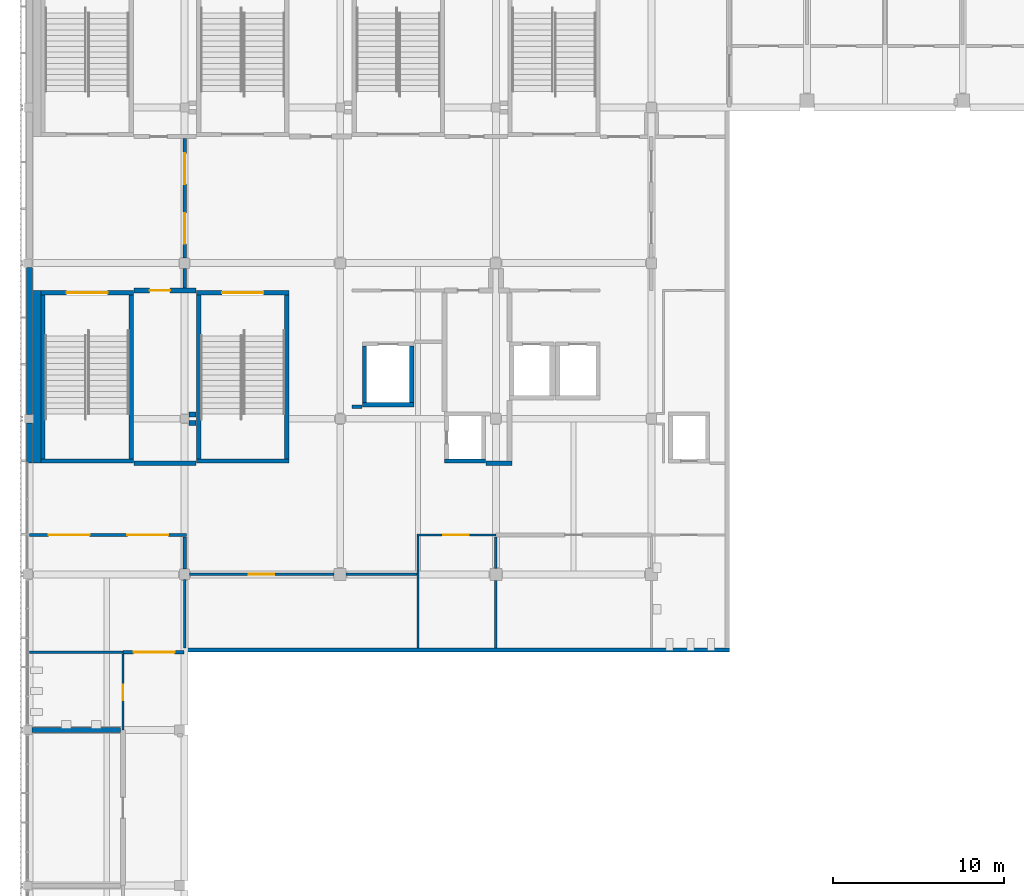
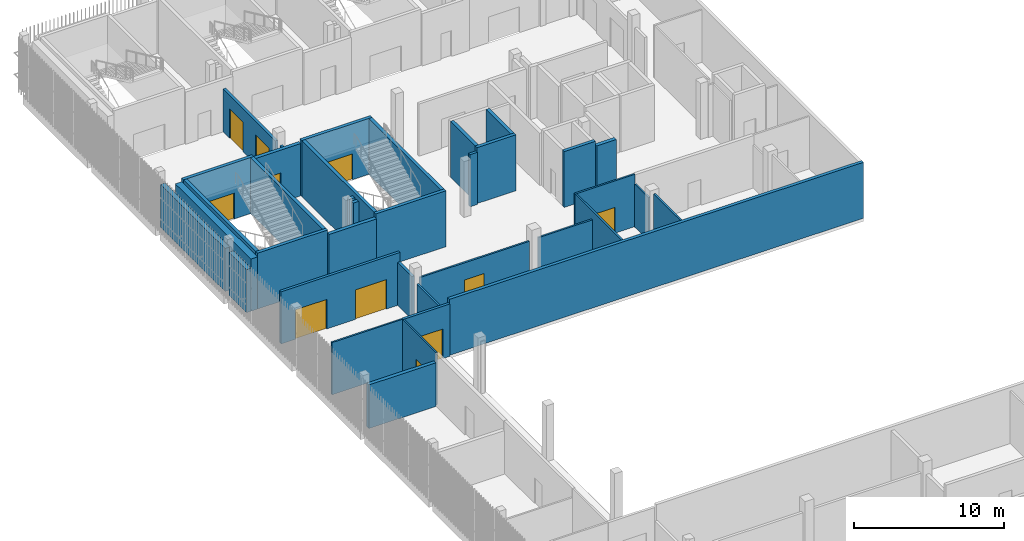
# One storey, part 73 of 124: 37 walls, 11 doors, 11 openings.
"""IFC4 building model written with IfcOpenShell, lengths in metres."""

from ifc_helpers import new_model, si_unit, direction, frame, frame_2d, origin, place, context, subcontext, project, spatial, rectangle, extrude, material, layer, layer_set, type_object, element, fill, save


model = new_model("IFC4")

# Units and contexts
model_context = context("Model", 3, precision=1e-05, world=origin(), true_north=direction((0.0, 1.0)))
body_context = subcontext(model_context, "Body", "Model", "MODEL_VIEW")
ifc_project = project(units=[si_unit("LENGTHUNIT", "METRE"), si_unit("AREAUNIT", "SQUARE_METRE"), si_unit("VOLUMEUNIT", "CUBIC_METRE"), si_unit("PLANEANGLEUNIT", "RADIAN"), si_unit("MASSUNIT", "GRAM", prefix="KILO")], contexts=[model_context])

# Site, building, storey
site_placement = place(None, origin())
site = spatial("IfcSite", under=ifc_project, at=site_placement, CompositionType="ELEMENT")
building_placement = place(site_placement, origin())
building = spatial("IfcBuilding", under=site, at=building_placement, Name="Shirokan Park Arena", CompositionType="ELEMENT")
storey_placement = place(building_placement, frame((0.0, 0.0, 20.02001953125)))
storey = spatial("IfcBuildingStorey", under=building, at=storey_placement, Name="L04", CompositionType="ELEMENT", Elevation=20.02001953125)

# Wall, opening, door
ifc_material_1 = material(Name="Gypsum board")
ifc_layer_1 = layer(ifc_material_1, 0.02490234375, Name="Gypsum board, two layers")
ifc_material_2 = material(Name="Mineral wool insulation")
ifc_layer_2 = layer(ifc_material_2, 0.14990234375, Name="Mineral wool insulation")
ifc_layer_3 = layer(ifc_material_1, 0.02490234375, Name="Gypsum board, two layers")
ifc_layer_set_1 = layer_set([ifc_layer_1, ifc_layer_2, ifc_layer_3], Name="Gypsum board, two layers + Mineral wool insulation")
wall_type_1 = type_object("IfcWallType", Name="Corridor wall 200", PredefinedType="PARTITIONING", material=ifc_layer_set_1)
wall_1_placement = place(storey_placement, frame((9.070068359375, 68.25, 0.0), z_axis=(0.0, 0.0, 1.0), x_axis=(-1.0, 0.0, 0.0)))
wall_1 = element("IfcWall", 1, at=wall_1_placement, inside=storey, type_object=wall_type_1, Name="Corridor wall 200 L04", PredefinedType="PARTITIONING", context=body_context, shape_type="SweptSolid", body=[
    extrude(rectangle(XDim=3.570068359375, YDim=0.199951171875, at=frame_2d((1.78515625, 0.0))), origin(), (0.0, 0.0, 1.0), 4.25),
])
opening_1_placement = place(wall_1_placement, frame((0.550048828125, 0.0, 0.0)))
opening_1 = element("IfcOpeningElement", 2, at=opening_1_placement, cuts=wall_1, Name="Opening D-4117", PredefinedType="OPENING", context=body_context, shape_type="SweptSolid", body=[
    extrude(rectangle(XDim=2.39990234375, YDim=2.39990234375, at=frame_2d((1.199951171875, 1.199951171875))), frame((0.0, 0.10986328125, 0.0), z_axis=(0.0, -1.0, 0.0), x_axis=(1.0, 0.0, 0.0)), (0.0, 0.0, 1.0), 0.219970703125),
])
ifc_material_3 = material(Name="Steel door set, fire resisting", Category="steel")
door_type_1 = type_object("IfcDoorType", Name="Double door 2400 x 2400", OperationType="DOUBLE_DOOR_SINGLE_SWING", PredefinedType="DOOR", material=ifc_material_3)
door_1_placement = place(opening_1_placement, origin())
door_1 = element("IfcDoor", 3, at=door_1_placement, inside=storey, type_object=door_type_1, Name="Door between Concourse Link 4.4 and Operations Corridor 4.04 D-4117", OperationType="DOUBLE_DOOR_SINGLE_SWING", OverallHeight=2.39990234375, OverallWidth=2.39990234375, PredefinedType="DOOR", context=body_context, shape_type="SweptSolid", body=[
    extrude(rectangle(XDim=2.39990234375, YDim=2.39990234375, at=frame_2d((1.199951171875, 1.199951171875))), frame((0.0, 0.02490234375, 0.0), z_axis=(0.0, -1.0, 0.0), x_axis=(1.0, 0.0, 0.0)), (0.0, 0.0, 1.0), 0.050048828125),
])
fill(opening_1, door_1)

# Walls
wall_2_placement = place(storey_placement, frame((9.10009765625, 73.10009765625, 0.0), z_axis=(0.0, 0.0, 1.0), x_axis=(0.0, 1.0, 0.0)))
element("IfcWall", 4, at=wall_2_placement, inside=storey, type_object=wall_type_1, Name="Corridor wall 200 L04", PredefinedType="PARTITIONING", context=body_context, shape_type="SweptSolid", body=[
    extrude(rectangle(XDim=1.89990234375, YDim=0.199951171875, at=frame_2d((0.949951171875, 0.0))), origin(), (0.0, 0.0, 1.0), 3.5),
])
wall_3_placement = place(storey_placement, frame((9.10009765625, 90.699951171875, 0.0), z_axis=(0.0, 0.0, 1.0), x_axis=(0.0, -1.0, 0.0)))
element("IfcWall", 5, at=wall_3_placement, inside=storey, type_object=wall_type_1, Name="Corridor wall 200 L04", PredefinedType="PARTITIONING", context=body_context, shape_type="SweptSolid", body=[
    extrude(rectangle(XDim=1.162353515625, YDim=0.199951171875, at=frame_2d((0.5810546875, 0.0))), origin(), (0.0, 0.0, 1.0), 3.5),
])

# Wall, openings, doors
wall_4_placement = place(storey_placement, frame((9.10009765625, 98.27490234375, 0.0), z_axis=(0.0, 0.0, 1.0), x_axis=(0.0, -1.0, 0.0)))
wall_4 = element("IfcWall", 6, at=wall_4_placement, inside=storey, type_object=wall_type_1, Name="Corridor wall 200 L04", PredefinedType="PARTITIONING", context=body_context, shape_type="SweptSolid", body=[
    extrude(rectangle(XDim=6.974853515625, YDim=0.199951171875, at=frame_2d((3.4873046875, 0.0))), origin(), (0.0, 0.0, 1.0), 3.5),
])
opening_2_placement = place(wall_4_placement, frame((0.85009765625, 0.0, 0.0)))
opening_2 = element("IfcOpeningElement", 7, at=opening_2_placement, cuts=wall_4, Name="Opening D-4109", PredefinedType="OPENING", context=body_context, shape_type="SweptSolid", body=[
    extrude(rectangle(XDim=1.800048828125, YDim=2.39990234375, at=frame_2d((0.89990234375, 1.199951171875))), frame((0.0, 0.10986328125, 0.0), z_axis=(0.0, -1.0, 0.0), x_axis=(1.0, 0.0, 0.0)), (0.0, 0.0, 1.0), 0.219970703125),
])
opening_3_placement = place(wall_4_placement, frame((4.35009765625, 0.0, 0.0)))
opening_3 = element("IfcOpeningElement", 8, at=opening_3_placement, cuts=wall_4, Name="Opening D-4110", PredefinedType="OPENING", context=body_context, shape_type="SweptSolid", body=[
    extrude(rectangle(XDim=1.800048828125, YDim=2.39990234375, at=frame_2d((0.89990234375, 1.199951171875))), frame((0.0, 0.10986328125, 0.0), z_axis=(0.0, -1.0, 0.0), x_axis=(1.0, 0.0, 0.0)), (0.0, 0.0, 1.0), 0.219970703125),
])
ifc_material_4 = material(Name="Glazed steel door set, fire resisting", Category="steel")
door_type_2 = type_object("IfcDoorType", Name="Lift lobby door 1800 x 2400", OperationType="DOUBLE_DOOR_SINGLE_SWING", PredefinedType="DOOR", material=ifc_material_4)
door_2_placement = place(opening_2_placement, origin())
door_2 = element("IfcDoor", 9, at=door_2_placement, inside=storey, type_object=door_type_2, Name="Door between Stair Lobby 4.4.1 and Broadcast Gallery 4.4.2 D-4109", OperationType="DOUBLE_DOOR_SINGLE_SWING", OverallHeight=2.39990234375, OverallWidth=1.800048828125, PredefinedType="DOOR", context=body_context, shape_type="SweptSolid", body=[
    extrude(rectangle(XDim=1.800048828125, YDim=2.39990234375, at=frame_2d((0.89990234375, 1.199951171875))), frame((0.0, 0.02490234375, 0.0), z_axis=(0.0, -1.0, 0.0), x_axis=(1.0, 0.0, 0.0)), (0.0, 0.0, 1.0), 0.050048828125),
])
fill(opening_2, door_2)
door_3_placement = place(opening_3_placement, origin())
door_3 = element("IfcDoor", 10, at=door_3_placement, inside=storey, type_object=door_type_2, Name="Door between Stair Lobby 4.4.1 and Broadcast Gallery 4.4.2 D-4110", OperationType="DOUBLE_DOOR_SINGLE_SWING", OverallHeight=2.39990234375, OverallWidth=1.800048828125, PredefinedType="DOOR", context=body_context, shape_type="SweptSolid", body=[
    extrude(rectangle(XDim=1.800048828125, YDim=2.39990234375, at=frame_2d((0.89990234375, 1.199951171875))), frame((0.0, 0.02490234375, 0.0), z_axis=(0.0, -1.0, 0.0), x_axis=(1.0, 0.0, 0.0)), (0.0, 0.0, 1.0), 0.050048828125),
])
fill(opening_3, door_3)

wall_5_placement = place(storey_placement, frame((9.199951171875, 75.10009765625, 0.0), z_axis=(0.0, 0.0, 1.0), x_axis=(-1.0, 0.0, 0.0)))
wall_5 = element("IfcWall", 11, at=wall_5_placement, inside=storey, type_object=wall_type_1, Name="Corridor wall 200 L04", PredefinedType="PARTITIONING", context=body_context, shape_type="SweptSolid", body=[
    extrude(rectangle(XDim=9.169921875, YDim=0.199951171875, at=frame_2d((4.5849609375, 0.0))), origin(), (0.0, 0.0, 1.0), 4.25),
])
opening_4_placement = place(wall_5_placement, frame((1.050048828125, 0.0, 0.0)))
opening_4 = element("IfcOpeningElement", 12, at=opening_4_placement, cuts=wall_5, Name="Opening D-4107", PredefinedType="OPENING", context=body_context, shape_type="SweptSolid", body=[
    extrude(rectangle(XDim=2.39990234375, YDim=2.39990234375, at=frame_2d((1.199951171875, 1.199951171875))), frame((0.0, 0.10986328125, 0.0), z_axis=(0.0, -1.0, 0.0), x_axis=(1.0, 0.0, 0.0)), (0.0, 0.0, 1.0), 0.219970703125),
])
opening_5_placement = place(wall_5_placement, frame((5.64990234375, 0.0, 0.0)))
opening_5 = element("IfcOpeningElement", 13, at=opening_5_placement, cuts=wall_5, Name="Opening D-4108", PredefinedType="OPENING", context=body_context, shape_type="SweptSolid", body=[
    extrude(rectangle(XDim=2.39990234375, YDim=2.39990234375, at=frame_2d((1.199951171875, 1.199951171875))), frame((0.0, 0.10986328125, 0.0), z_axis=(0.0, -1.0, 0.0), x_axis=(1.0, 0.0, 0.0)), (0.0, 0.0, 1.0), 0.219970703125),
])
door_4_placement = place(opening_4_placement, origin())
door_4 = element("IfcDoor", 14, at=door_4_placement, inside=storey, type_object=door_type_1, Name="Door between Service Corridor 4.4 and Concourse Link 4.4 D-4107", OperationType="DOUBLE_DOOR_SINGLE_SWING", OverallHeight=2.39990234375, OverallWidth=2.39990234375, PredefinedType="DOOR", context=body_context, shape_type="SweptSolid", body=[
    extrude(rectangle(XDim=2.39990234375, YDim=2.39990234375, at=frame_2d((1.199951171875, 1.199951171875))), frame((0.0, 0.02490234375, 0.0), z_axis=(0.0, -1.0, 0.0), x_axis=(1.0, 0.0, 0.0)), (0.0, 0.0, 1.0), 0.050048828125),
])
fill(opening_4, door_4)
door_5_placement = place(opening_5_placement, origin())
door_5 = element("IfcDoor", 15, at=door_5_placement, inside=storey, type_object=door_type_1, Name="Door between Service Corridor 4.4 and Concourse Link 4.4 D-4108", OperationType="DOUBLE_DOOR_SINGLE_SWING", OverallHeight=2.39990234375, OverallWidth=2.39990234375, PredefinedType="DOOR", context=body_context, shape_type="SweptSolid", body=[
    extrude(rectangle(XDim=2.39990234375, YDim=2.39990234375, at=frame_2d((1.199951171875, 1.199951171875))), frame((0.0, 0.02490234375, 0.0), z_axis=(0.0, -1.0, 0.0), x_axis=(1.0, 0.0, 0.0)), (0.0, 0.0, 1.0), 0.050048828125),
])
fill(opening_5, door_5)

# Walls
wall_6_placement = place(storey_placement, frame((19.469970703125, 82.60009765625, 0.0), z_axis=(0.0, 0.0, 1.0), x_axis=(-1.0, 0.0, 0.0)))
element("IfcWall", 16, at=wall_6_placement, inside=storey, type_object=wall_type_1, Name="Corridor wall 200 L04", PredefinedType="PARTITIONING", context=body_context, shape_type="SweptSolid", body=[
    extrude(rectangle(XDim=0.570068359375, YDim=0.199951171875, at=frame_2d((0.28515625, 0.0))), origin(), (0.0, 0.0, 1.0), 4.25),
])
ifc_material_5 = material(Name="Cedar cladding")
ifc_layer_4 = layer(ifc_material_5, 0.030029296875, Name="Cedar cladding")
ifc_layer_5 = layer(ifc_material_2, 0.10009765625, Name="Mineral wool insulation")
ifc_material_6 = material(Name="Concrete C35", Category="concrete")
ifc_layer_6 = layer(ifc_material_6, 0.199951171875, Name="Concrete C35")
ifc_material_7 = material(Name="Gypsum board lining")
ifc_layer_7 = layer(ifc_material_7, 0.02001953125, Name="Gypsum board lining")
ifc_layer_set_2 = layer_set([ifc_layer_4, ifc_layer_5, ifc_layer_6, ifc_layer_7], Name="Cedar cladding + Mineral wool insulation + Concrete C35 + Gypsum board lining")
wall_type_2 = type_object("IfcWallType", Name="Insulated tower wall 350", PredefinedType="SOLIDWALL", material=ifc_layer_set_2)
wall_7_placement = place(storey_placement, frame((0.02490234375, 90.75, 0.0), z_axis=(0.0, 0.0, 1.0), x_axis=(0.0, -1.0, 0.0)))
element("IfcWall", 17, at=wall_7_placement, inside=storey, type_object=wall_type_2, Name="West facade wall bay 3 L04", PredefinedType="SOLIDWALL", context=body_context, shape_type="SweptSolid", body=[
    extrude(rectangle(XDim=8.60009765625, YDim=0.35009765625, at=frame_2d((4.300048828125, 0.0))), origin(), (0.0, 0.0, 1.0), 3.5),
])
wall_8_placement = place(storey_placement, frame((0.02490234375, 81.64990234375, 0.0), z_axis=(0.0, 0.0, 1.0), x_axis=(0.0, -1.0, 0.0)))
element("IfcWall", 18, at=wall_8_placement, inside=storey, type_object=wall_type_2, Name="West facade wall bay 4 L04", PredefinedType="SOLIDWALL", context=body_context, shape_type="SweptSolid", body=[
    extrude(rectangle(XDim=2.349853515625, YDim=0.35009765625, at=frame_2d((1.1748046875, 0.0))), origin(), (0.0, 0.0, 1.0), 3.5),
])
ifc_material_8 = material(Name="Ceramic tile")
ifc_layer_8 = layer(ifc_material_8, 0.010009765625, Name="Ceramic tile")
ifc_material_9 = material(Name="Render")
ifc_layer_9 = layer(ifc_material_9, 0.010009765625, Name="Render")
ifc_material_10 = material(Name="Concrete blockwork", Category="masonry")
ifc_layer_10 = layer(ifc_material_10, 0.10009765625, Name="Concrete blockwork 100")
ifc_layer_11 = layer(ifc_material_9, 0.010009765625, Name="Render")
ifc_layer_12 = layer(ifc_material_8, 0.010009765625, Name="Ceramic tile")
ifc_layer_set_3 = layer_set([ifc_layer_8, ifc_layer_9, ifc_layer_10, ifc_layer_11, ifc_layer_12], Name="Ceramic tile + Render + Concrete blockwork 100")
wall_type_3 = type_object("IfcWallType", Name="Kitchen wall 140", PredefinedType="SOLIDWALL", material=ifc_layer_set_3)
wall_9_placement = place(storey_placement, frame((9.10009765625, 68.5, 0.0), z_axis=(0.0, 0.0, 1.0), x_axis=(0.0, 1.0, 0.0)))
element("IfcWall", 19, at=wall_9_placement, inside=storey, type_object=wall_type_3, Name="Kitchen wall 140 L04", PredefinedType="SOLIDWALL", context=body_context, shape_type="SweptSolid", body=[
    extrude(rectangle(XDim=4.0, YDim=0.139892578125, at=frame_2d((2.0, 0.0))), origin(), (0.0, 0.0, 1.0), 3.25),
])

# Wall, opening, door
wall_10_placement = place(storey_placement, frame((9.39990234375, 72.800048828125, 0.0), z_axis=(0.0, 0.0, 1.0), x_axis=(1.0, 0.0, 0.0)))
wall_10 = element("IfcWall", 20, at=wall_10_placement, inside=storey, type_object=wall_type_3, Name="Kitchen wall 140 L04", PredefinedType="SOLIDWALL", context=body_context, shape_type="SweptSolid", body=[
    extrude(rectangle(XDim=8.4501953125, YDim=0.139892578125, at=frame_2d((4.22509765625, 0.0))), origin(), (0.0, 0.0, 1.0), 3.5),
])
opening_6_placement = place(wall_10_placement, frame((3.449951171875, 0.0, 0.0)))
opening_6 = element("IfcOpeningElement", 21, at=opening_6_placement, cuts=wall_10, Name="Opening D-4039", PredefinedType="OPENING", context=body_context, shape_type="SweptSolid", body=[
    extrude(rectangle(XDim=1.5, YDim=2.10009765625, at=frame_2d((0.75, 1.050048828125))), frame((0.0, 0.079833984375, 0.0), z_axis=(0.0, -1.0, 0.0), x_axis=(1.0, 0.0, 0.0)), (0.0, 0.0, 1.0), 0.159912109375),
])
ifc_material_11 = material(Name="Stainless steel door set, fire resisting", Category="steel")
door_type_3 = type_object("IfcDoorType", Name="Kitchen door 1500 x 2100", OperationType="DOUBLE_DOOR_SINGLE_SWING", PredefinedType="DOOR", material=ifc_material_11)
door_6_placement = place(opening_6_placement, origin())
door_6 = element("IfcDoor", 22, at=door_6_placement, inside=storey, type_object=door_type_3, Name="Door to Staff Canteen 4.41 D-4039", OperationType="DOUBLE_DOOR_SINGLE_SWING", OverallHeight=2.10009765625, OverallWidth=1.5, PredefinedType="DOOR", context=body_context, shape_type="SweptSolid", body=[
    extrude(rectangle(XDim=1.5, YDim=2.10009765625, at=frame_2d((0.75, 1.050048828125))), frame((0.0, 0.02490234375, 0.0), z_axis=(0.0, -1.0, 0.0), x_axis=(1.0, 0.0, 0.0)), (0.0, 0.0, 1.0), 0.050048828125),
])
fill(opening_6, door_6)

# Wall
wall_11_placement = place(storey_placement, frame((18.550048828125, 72.800048828125, 0.0), z_axis=(0.0, 0.0, 1.0), x_axis=(1.0, 0.0, 0.0)))
element("IfcWall", 23, at=wall_11_placement, inside=storey, type_object=wall_type_3, Name="Kitchen wall 140 L04", PredefinedType="SOLIDWALL", context=body_context, shape_type="SweptSolid", body=[
    extrude(rectangle(XDim=4.1298828125, YDim=0.139892578125, at=frame_2d((2.06494140625, 0.0))), origin(), (0.0, 0.0, 1.0), 3.550048828125),
])

# Wall, opening, door
wall_12_placement = place(storey_placement, frame((22.679931640625, 75.10009765625, 0.0), z_axis=(0.0, 0.0, 1.0), x_axis=(1.0, 0.0, 0.0)))
wall_12 = element("IfcWall", 24, at=wall_12_placement, inside=storey, type_object=wall_type_3, Name="Kitchen wall 140 L04", PredefinedType="SOLIDWALL", context=body_context, shape_type="SweptSolid", body=[
    extrude(rectangle(XDim=4.6201171875, YDim=0.139892578125, at=frame_2d((2.31005859375, 0.0))), origin(), (0.0, 0.0, 1.0), 4.25),
])
opening_7_placement = place(wall_12_placement, frame((1.550048828125, 0.0, 0.0)))
opening_7 = element("IfcOpeningElement", 25, at=opening_7_placement, cuts=wall_12, Name="Opening D-4040", PredefinedType="OPENING", context=body_context, shape_type="SweptSolid", body=[
    extrude(rectangle(XDim=1.5, YDim=2.10009765625, at=frame_2d((0.75, 1.050048828125))), frame((0.0, 0.079833984375, 0.0), z_axis=(0.0, -1.0, 0.0), x_axis=(1.0, 0.0, 0.0)), (0.0, 0.0, 1.0), 0.159912109375),
])
door_7_placement = place(opening_7_placement, origin())
door_7 = element("IfcDoor", 26, at=door_7_placement, inside=storey, type_object=door_type_3, Name="Door to Staff Kitchen 4.42 D-4040", OperationType="DOUBLE_DOOR_SINGLE_SWING", OverallHeight=2.10009765625, OverallWidth=1.5, PredefinedType="DOOR", context=body_context, shape_type="SweptSolid", body=[
    extrude(rectangle(XDim=1.5, YDim=2.10009765625, at=frame_2d((0.75, 1.050048828125))), frame((0.0, 0.02490234375, 0.0), z_axis=(0.0, -1.0, 0.0), x_axis=(1.0, 0.0, 0.0)), (0.0, 0.0, 1.0), 0.050048828125),
])
fill(opening_7, door_7)

# Walls
wall_13_placement = place(storey_placement, frame((22.75, 68.5, 0.0), z_axis=(0.0, 0.0, 1.0), x_axis=(0.0, 1.0, 0.0)))
element("IfcWall", 27, at=wall_13_placement, inside=storey, type_object=wall_type_3, Name="Kitchen wall 140 L04", PredefinedType="SOLIDWALL", context=body_context, shape_type="SweptSolid", body=[
    extrude(rectangle(XDim=6.530029296875, YDim=0.139892578125, at=frame_2d((3.26513671875, 0.0))), origin(), (0.0, 0.0, 1.0), 4.25),
])
wall_14_placement = place(storey_placement, frame((27.300048828125, 72.449951171875, 0.0), z_axis=(0.0, 0.0, 1.0), x_axis=(0.0, -1.0, 0.0)))
element("IfcWall", 28, at=wall_14_placement, inside=storey, type_object=wall_type_3, Name="Kitchen wall 140 L04", PredefinedType="SOLIDWALL", context=body_context, shape_type="SweptSolid", body=[
    extrude(rectangle(XDim=3.949951171875, YDim=0.139892578125, at=frame_2d((1.97509765625, 0.0))), origin(), (0.0, 0.0, 1.0), 4.25),
])
wall_15_placement = place(storey_placement, frame((27.300048828125, 74.97509765625, 0.0), z_axis=(0.0, 0.0, 1.0), x_axis=(0.0, -1.0, 0.0)))
element("IfcWall", 29, at=wall_15_placement, inside=storey, type_object=wall_type_3, Name="Kitchen wall 140 L04", PredefinedType="SOLIDWALL", context=body_context, shape_type="SweptSolid", body=[
    extrude(rectangle(XDim=1.8251953125, YDim=0.139892578125, at=frame_2d((0.91259765625, 0.0))), origin(), (0.0, 0.0, 1.0), 3.5),
])
ifc_material_12 = material(Name="Plaster")
ifc_layer_13 = layer(ifc_material_12, 0.012451171875, Name="Plaster")
ifc_layer_14 = layer(ifc_material_10, 0.25, Name="Concrete blockwork 250")
ifc_layer_15 = layer(ifc_material_12, 0.012451171875, Name="Plaster")
ifc_layer_set_4 = layer_set([ifc_layer_13, ifc_layer_14, ifc_layer_15], Name="Plaster + Concrete blockwork 250")
wall_type_4 = type_object("IfcWallType", Name="Plant room wall 275", PredefinedType="SOLIDWALL", material=ifc_layer_set_4)
wall_16_placement = place(storey_placement, frame((0.175048828125, 63.699951171875, 0.0), z_axis=(0.0, 0.0, 1.0), x_axis=(1.0, 0.0, 0.0)))
element("IfcWall", 30, at=wall_16_placement, inside=storey, type_object=wall_type_4, Name="Plant room wall 275 L04", PredefinedType="SOLIDWALL", context=body_context, shape_type="SweptSolid", body=[
    extrude(rectangle(XDim=5.1875, YDim=0.27490234375, at=frame_2d((2.59375, 0.0))), origin(), (0.0, 0.0, 1.0), 3.550048828125),
])

# Wall, opening, door
wall_17_placement = place(storey_placement, frame((6.1298828125, 89.39990234375, 0.0), z_axis=(0.0, 0.0, 1.0), x_axis=(1.0, 0.0, 0.0)))
wall_17 = element("IfcWall", 31, at=wall_17_placement, inside=storey, type_object=wall_type_4, Name="Plant room wall 275 L04", PredefinedType="SOLIDWALL", context=body_context, shape_type="SweptSolid", body=[
    extrude(rectangle(XDim=3.64013671875, YDim=0.27490234375, at=frame_2d((1.820068359375, 0.0))), origin(), (0.0, 0.0, 1.0), 4.25),
])
opening_8_placement = place(wall_17_placement, frame((0.919921875, 0.0, 0.0)))
opening_8 = element("IfcOpeningElement", 32, at=opening_8_placement, cuts=wall_17, Name="Opening D-4033", PredefinedType="OPENING", context=body_context, shape_type="SweptSolid", body=[
    extrude(rectangle(XDim=1.199951171875, YDim=2.39990234375, at=frame_2d((0.60009765625, 1.199951171875))), frame((0.0, 0.1474609375, 0.0), z_axis=(0.0, -1.0, 0.0), x_axis=(1.0, 0.0, 0.0)), (0.0, 0.0, 1.0), 0.294921875),
])
ifc_material_13 = material(Name="Louvred steel door set, fire resisting", Category="steel")
door_type_4 = type_object("IfcDoorType", Name="Plant room door 1200 x 2400", OperationType="SINGLE_SWING_LEFT", PredefinedType="DOOR", material=ifc_material_13)
door_8_placement = place(opening_8_placement, origin())
door_8 = element("IfcDoor", 33, at=door_8_placement, inside=storey, type_object=door_type_4, Name="Door to Electrical Room 4.47 D-4033", OperationType="SINGLE_SWING_RIGHT", OverallHeight=2.39990234375, OverallWidth=1.199951171875, PredefinedType="DOOR", context=body_context, shape_type="SweptSolid", body=[
    extrude(rectangle(XDim=1.199951171875, YDim=2.39990234375, at=frame_2d((0.60009765625, 1.199951171875))), frame((0.0, 0.02490234375, 0.0), z_axis=(0.0, -1.0, 0.0), x_axis=(1.0, 0.0, 0.0)), (0.0, 0.0, 1.0), 0.050048828125),
])
fill(opening_8, door_8)

# Walls
wall_18_placement = place(storey_placement, frame((9.35009765625, 81.64990234375, 0.0), z_axis=(0.0, 0.0, 1.0), x_axis=(1.0, 0.0, 0.0)))
element("IfcWall", 34, at=wall_18_placement, inside=storey, type_object=wall_type_4, Name="Plant room wall 275 L04", PredefinedType="SOLIDWALL", context=body_context, shape_type="SweptSolid", body=[
    extrude(rectangle(XDim=0.419921875, YDim=0.27490234375, at=frame_2d((0.2099609375, 0.0))), origin(), (0.0, 0.0, 1.0), 4.25),
])
wall_19_placement = place(storey_placement, frame((9.77001953125, 79.300048828125, 0.0), z_axis=(0.0, 0.0, 1.0), x_axis=(-1.0, 0.0, 0.0)))
element("IfcWall", 35, at=wall_19_placement, inside=storey, type_object=wall_type_4, Name="Plant room wall 275 L04", PredefinedType="SOLIDWALL", context=body_context, shape_type="SweptSolid", body=[
    extrude(rectangle(XDim=3.64013671875, YDim=0.27490234375, at=frame_2d((1.820068359375, 0.0))), origin(), (0.0, 0.0, 1.0), 4.25),
])
wall_20_placement = place(storey_placement, frame((9.77001953125, 82.14990234375, 0.0), z_axis=(0.0, 0.0, 1.0), x_axis=(-1.0, 0.0, 0.0)))
element("IfcWall", 36, at=wall_20_placement, inside=storey, type_object=wall_type_4, Name="Plant room wall 275 L04", PredefinedType="SOLIDWALL", context=body_context, shape_type="SweptSolid", body=[
    extrude(rectangle(XDim=0.419921875, YDim=0.27490234375, at=frame_2d((0.2099609375, 0.0))), origin(), (0.0, 0.0, 1.0), 4.25),
])
wall_21_placement = place(storey_placement, frame((28.237548828125, 79.300048828125, 0.0), z_axis=(0.0, 0.0, 1.0), x_axis=(-1.0, 0.0, 0.0)))
element("IfcWall", 37, at=wall_21_placement, inside=storey, type_object=wall_type_4, Name="Plant room wall 275 L04", PredefinedType="SOLIDWALL", context=body_context, shape_type="SweptSolid", body=[
    extrude(rectangle(XDim=1.507568359375, YDim=0.27490234375, at=frame_2d((0.75390625, 0.0))), origin(), (0.0, 0.0, 1.0), 4.25),
])
ifc_layer_16 = layer(ifc_material_6, 0.25)
ifc_layer_set_5 = layer_set([ifc_layer_16], Name="Concrete C35 250 mm")
wall_type_5 = type_object("IfcWallType", Name="RC flank wall 250", PredefinedType="SHEAR", material=ifc_layer_set_5)
wall_22_placement = place(storey_placement, frame((40.949951171875, 68.375, 0.0), z_axis=(0.0, 0.0, 1.0), x_axis=(-1.0, 0.0, 0.0)))
element("IfcWall", 38, at=wall_22_placement, inside=storey, type_object=wall_type_5, Name="Flank wall W2 L04", PredefinedType="SHEAR", context=body_context, shape_type="SweptSolid", body=[
    extrude(rectangle(XDim=31.849853515625, YDim=0.25, at=frame_2d((15.9248046875, 0.0))), origin(), (0.0, 0.0, 1.0), 4.550048828125),
])
ifc_material_14 = material(Name="Concrete C40/50", Category="concrete")
ifc_layer_17 = layer(ifc_material_14, 0.25)
ifc_layer_set_6 = layer_set([ifc_layer_17], Name="Concrete C40/50 250 mm")
wall_type_6 = type_object("IfcWallType", Name="RC shear wall 250", PredefinedType="SHEAR", material=ifc_layer_set_6)
wall_23_placement = place(storey_placement, frame((26.699951171875, 79.425048828125, 0.0), z_axis=(0.0, 0.0, 1.0), x_axis=(-1.0, 0.0, 0.0)))
element("IfcWall", 39, at=wall_23_placement, inside=storey, type_object=wall_type_6, Name="Shaft wall Services Riser 4.2 S L04", PredefinedType="SHEAR", context=body_context, shape_type="SweptSolid", body=[
    extrude(rectangle(XDim=2.39990234375, YDim=0.25, at=frame_2d((1.199951171875, 0.0))), origin(), (0.0, 0.0, 1.0), 4.550048828125),
])
wall_24_placement = place(storey_placement, frame((22.5, 82.72509765625, 0.0), z_axis=(0.0, 0.0, 1.0), x_axis=(-1.0, 0.0, 0.0)))
element("IfcWall", 40, at=wall_24_placement, inside=storey, type_object=wall_type_6, Name="Shaft wall Service Lift 4 S L04", PredefinedType="SHEAR", context=body_context, shape_type="SweptSolid", body=[
    extrude(rectangle(XDim=3.0, YDim=0.25, at=frame_2d((1.5, 0.0))), origin(), (0.0, 0.0, 1.0), 4.550048828125),
])
for number, where, z_axis, x_axis, name in (
    (41, (19.625, 86.14990234375, 0.0), (0.0, 0.0, 1.0), (0.0, -1.0, 0.0), "Shaft wall Service Lift 4 W L04"),
    (42, (22.375, 86.14990234375, 0.0), (0.0, 0.0, 1.0), (0.0, -1.0, 0.0), "Shaft wall Service Lift 4 E L04"),
):
    element("IfcWall", number, at=place(storey_placement, frame(where, z_axis=z_axis, x_axis=x_axis)), inside=storey, type_object=wall_type_6, Name=name, PredefinedType="SHEAR", context=body_context, shape_type="SweptSolid", body=[
        extrude(rectangle(XDim=3.2998046875, YDim=0.25, at=frame_2d((1.64990234375, 0.0))), origin(), (0.0, 0.0, 1.0), 4.550048828125),
    ])
wall_25_placement = place(storey_placement, frame((6.10009765625, 79.425048828125, 0.0), z_axis=(0.0, 0.0, 1.0), x_axis=(-1.0, 0.0, 0.0)))
element("IfcWall", 43, at=wall_25_placement, inside=storey, type_object=wall_type_6, Name="Shaft wall Exit Stair 4.E S L04", PredefinedType="SHEAR", context=body_context, shape_type="SweptSolid", body=[
    extrude(rectangle(XDim=5.400146484375, YDim=0.25, at=frame_2d((2.7001953125, 0.0))), origin(), (0.0, 0.0, 1.0), 4.550048828125),
])

# Wall, opening, door
wall_26_placement = place(storey_placement, frame((6.10009765625, 89.27490234375, 0.0), z_axis=(0.0, 0.0, 1.0), x_axis=(-1.0, 0.0, 0.0)))
wall_26 = element("IfcWall", 44, at=wall_26_placement, inside=storey, type_object=wall_type_6, Name="Shaft wall Exit Stair 4.E N L04", PredefinedType="SHEAR", context=body_context, shape_type="SweptSolid", body=[
    extrude(rectangle(XDim=5.400146484375, YDim=0.25, at=frame_2d((2.7001953125, 0.0))), origin(), (0.0, 0.0, 1.0), 4.550048828125),
])
opening_9_placement = place(wall_26_placement, frame((1.5, 0.0, 0.0)))
opening_9 = element("IfcOpeningElement", 45, at=opening_9_placement, cuts=wall_26, Name="Opening D-4140", PredefinedType="OPENING", context=body_context, shape_type="SweptSolid", body=[
    extrude(rectangle(XDim=2.39990234375, YDim=2.10009765625, at=frame_2d((1.199951171875, 1.050048828125))), frame((0.0, 0.135009765625, 0.0), z_axis=(0.0, -1.0, 0.0), x_axis=(1.0, 0.0, 0.0)), (0.0, 0.0, 1.0), 0.27001953125),
])
door_type_5 = type_object("IfcDoorType", Name="Stair door 2400 x 2100", OperationType="DOUBLE_DOOR_SINGLE_SWING", PredefinedType="DOOR", material=ifc_material_3)
door_9_placement = place(opening_9_placement, origin())
door_9 = element("IfcDoor", 46, at=door_9_placement, inside=storey, type_object=door_type_5, Name="Stair door Exit Stair 4.E D-4140", OperationType="DOUBLE_DOOR_SINGLE_SWING", OverallHeight=2.10009765625, OverallWidth=2.39990234375, PredefinedType="DOOR", context=body_context, shape_type="SweptSolid", body=[
    extrude(rectangle(XDim=2.39990234375, YDim=2.10009765625, at=frame_2d((1.199951171875, 1.050048828125))), frame((0.0, 0.02490234375, 0.0), z_axis=(0.0, -1.0, 0.0), x_axis=(1.0, 0.0, 0.0)), (0.0, 0.0, 1.0), 0.050048828125),
])
fill(opening_9, door_9)

# Walls
for number, where, z_axis, x_axis, name in (
    (47, (0.824951171875, 89.14990234375, 0.0), (0.0, 0.0, 1.0), (0.0, -1.0, 0.0), "Shaft wall Exit Stair 4.E W L04"),
    (48, (5.97509765625, 89.14990234375, 0.0), (0.0, 0.0, 1.0), (0.0, -1.0, 0.0), "Shaft wall Exit Stair 4.E E L04"),
):
    element("IfcWall", number, at=place(storey_placement, frame(where, z_axis=z_axis, x_axis=x_axis)), inside=storey, type_object=wall_type_6, Name=name, PredefinedType="SHEAR", context=body_context, shape_type="SweptSolid", body=[
        extrude(rectangle(XDim=9.599853515625, YDim=0.25, at=frame_2d((4.7998046875, 0.0))), origin(), (0.0, 0.0, 1.0), 4.550048828125),
    ])
wall_27_placement = place(storey_placement, frame((15.199951171875, 79.425048828125, 0.0), z_axis=(0.0, 0.0, 1.0), x_axis=(-1.0, 0.0, 0.0)))
element("IfcWall", 49, at=wall_27_placement, inside=storey, type_object=wall_type_6, Name="Shaft wall Exit Stair 4.F S L04", PredefinedType="SHEAR", context=body_context, shape_type="SweptSolid", body=[
    extrude(rectangle(XDim=5.39990234375, YDim=0.25, at=frame_2d((2.699951171875, 0.0))), origin(), (0.0, 0.0, 1.0), 4.550048828125),
])

# Wall, opening, door
wall_28_placement = place(storey_placement, frame((15.199951171875, 89.27490234375, 0.0), z_axis=(0.0, 0.0, 1.0), x_axis=(-1.0, 0.0, 0.0)))
wall_28 = element("IfcWall", 50, at=wall_28_placement, inside=storey, type_object=wall_type_6, Name="Shaft wall Exit Stair 4.F N L04", PredefinedType="SHEAR", context=body_context, shape_type="SweptSolid", body=[
    extrude(rectangle(XDim=5.39990234375, YDim=0.25, at=frame_2d((2.699951171875, 0.0))), origin(), (0.0, 0.0, 1.0), 4.550048828125),
])
opening_10_placement = place(wall_28_placement, frame((1.5, 0.0, 0.0)))
opening_10 = element("IfcOpeningElement", 51, at=opening_10_placement, cuts=wall_28, Name="Opening D-4141", PredefinedType="OPENING", context=body_context, shape_type="SweptSolid", body=[
    extrude(rectangle(XDim=2.39990234375, YDim=2.10009765625, at=frame_2d((1.199951171875, 1.050048828125))), frame((0.0, 0.135009765625, 0.0), z_axis=(0.0, -1.0, 0.0), x_axis=(1.0, 0.0, 0.0)), (0.0, 0.0, 1.0), 0.27001953125),
])
door_10_placement = place(opening_10_placement, origin())
door_10 = element("IfcDoor", 52, at=door_10_placement, inside=storey, type_object=door_type_5, Name="Stair door Exit Stair 4.F D-4141", OperationType="DOUBLE_DOOR_SINGLE_SWING", OverallHeight=2.10009765625, OverallWidth=2.39990234375, PredefinedType="DOOR", context=body_context, shape_type="SweptSolid", body=[
    extrude(rectangle(XDim=2.39990234375, YDim=2.10009765625, at=frame_2d((1.199951171875, 1.050048828125))), frame((0.0, 0.02490234375, 0.0), z_axis=(0.0, -1.0, 0.0), x_axis=(1.0, 0.0, 0.0)), (0.0, 0.0, 1.0), 0.050048828125),
])
fill(opening_10, door_10)

# Walls
for number, where, z_axis, x_axis, name in (
    (53, (9.925048828125, 89.14990234375, 0.0), (0.0, 0.0, 1.0), (0.0, -1.0, 0.0), "Shaft wall Exit Stair 4.F W L04"),
    (54, (15.074951171875, 89.14990234375, 0.0), (0.0, 0.0, 1.0), (0.0, -1.0, 0.0), "Shaft wall Exit Stair 4.F E L04"),
):
    element("IfcWall", number, at=place(storey_placement, frame(where, z_axis=z_axis, x_axis=x_axis)), inside=storey, type_object=wall_type_6, Name=name, PredefinedType="SHEAR", context=body_context, shape_type="SweptSolid", body=[
        extrude(rectangle(XDim=9.599853515625, YDim=0.25, at=frame_2d((4.7998046875, 0.0))), origin(), (0.0, 0.0, 1.0), 4.550048828125),
    ])
ifc_layer_18 = layer(ifc_material_6, 0.5)
ifc_layer_set_7 = layer_set([ifc_layer_18], Name="Concrete C35 500 mm")
wall_type_7 = type_object("IfcWallType", Name="Shaft infill wall 500", PredefinedType="SOLIDWALL", material=ifc_layer_set_7)
wall_29_placement = place(storey_placement, frame((0.449951171875, 79.300048828125, 0.0), z_axis=(0.0, 0.0, 1.0), x_axis=(0.0, 1.0, 0.0)))
element("IfcWall", 55, at=wall_29_placement, inside=storey, type_object=wall_type_7, Name="Shaft infill wall L04", PredefinedType="SOLIDWALL", context=body_context, shape_type="SweptSolid", body=[
    extrude(rectangle(XDim=10.099853515625, YDim=0.5, at=frame_2d((5.0498046875, 0.0))), origin(), (0.0, 0.0, 1.0), 4.25),
])

# Wall, opening, door
ifc_layer_19 = layer(ifc_material_8, 0.010009765625, Name="Ceramic tile")
ifc_material_15 = material(Name="Cement board")
ifc_layer_20 = layer(ifc_material_15, 0.012451171875, Name="Cement board")
ifc_layer_21 = layer(ifc_material_2, 0.080078125, Name="Mineral wool insulation")
ifc_layer_22 = layer(ifc_material_15, 0.012451171875, Name="Cement board")
ifc_layer_23 = layer(ifc_material_8, 0.010009765625, Name="Ceramic tile")
ifc_layer_set_8 = layer_set([ifc_layer_19, ifc_layer_20, ifc_layer_21, ifc_layer_22, ifc_layer_23], Name="Ceramic tile + Cement board + Mineral wool insulation")
wall_type_8 = type_object("IfcWallType", Name="Wet-area wall 125", PredefinedType="PARTITIONING", material=ifc_layer_set_8)
wall_30_placement = place(storey_placement, frame((5.5, 63.699951171875, 0.0), z_axis=(0.0, 0.0, 1.0), x_axis=(0.0, 1.0, 0.0)))
wall_30 = element("IfcWall", 56, at=wall_30_placement, inside=storey, type_object=wall_type_8, Name="Wet-area wall 125 L04", PredefinedType="PARTITIONING", context=body_context, shape_type="SweptSolid", body=[
    extrude(rectangle(XDim=4.449951171875, YDim=0.125, at=frame_2d((2.22509765625, 0.0))), origin(), (0.0, 0.0, 1.0), 4.25),
])
opening_11_placement = place(wall_30_placement, frame((1.75, 0.0, 0.0)))
opening_11 = element("IfcOpeningElement", 57, at=opening_11_placement, cuts=wall_30, Name="Opening D-4070", PredefinedType="OPENING", context=body_context, shape_type="SweptSolid", body=[
    extrude(rectangle(XDim=0.89990234375, YDim=2.10009765625, at=frame_2d((0.449951171875, 1.050048828125))), frame((0.0, 0.072509765625, 0.0), z_axis=(0.0, -1.0, 0.0), x_axis=(1.0, 0.0, 0.0)), (0.0, 0.0, 1.0), 0.14501953125),
])
ifc_material_16 = material(Name="Timber door set, fire resisting", Category="wood")
door_type_6 = type_object("IfcDoorType", Name="Door 900 x 2100", OperationType="SINGLE_SWING_LEFT", PredefinedType="DOOR", material=ifc_material_16)
door_11_placement = place(opening_11_placement, origin())
door_11 = element("IfcDoor", 58, at=door_11_placement, inside=storey, type_object=door_type_6, Name="Door to Staff WC 4.44 D-4070", OperationType="SINGLE_SWING_RIGHT", OverallHeight=2.10009765625, OverallWidth=0.89990234375, PredefinedType="DOOR", context=body_context, shape_type="SweptSolid", body=[
    extrude(rectangle(XDim=0.89990234375, YDim=2.10009765625, at=frame_2d((0.449951171875, 1.050048828125))), frame((0.0, 0.02490234375, 0.0), z_axis=(0.0, -1.0, 0.0), x_axis=(1.0, 0.0, 0.0)), (0.0, 0.0, 1.0), 0.050048828125),
])
fill(opening_11, door_11)

# Wall
wall_31_placement = place(storey_placement, frame((5.5, 68.25, 0.0), z_axis=(0.0, 0.0, 1.0), x_axis=(-1.0, 0.0, 0.0)))
element("IfcWall", 59, at=wall_31_placement, inside=storey, type_object=wall_type_8, Name="Wet-area wall 125 L04", PredefinedType="PARTITIONING", context=body_context, shape_type="SweptSolid", body=[
    extrude(rectangle(XDim=5.469970703125, YDim=0.125, at=frame_2d((2.73486328125, 0.0))), origin(), (0.0, 0.0, 1.0), 4.25),
])

save(model, "model.ifc")
